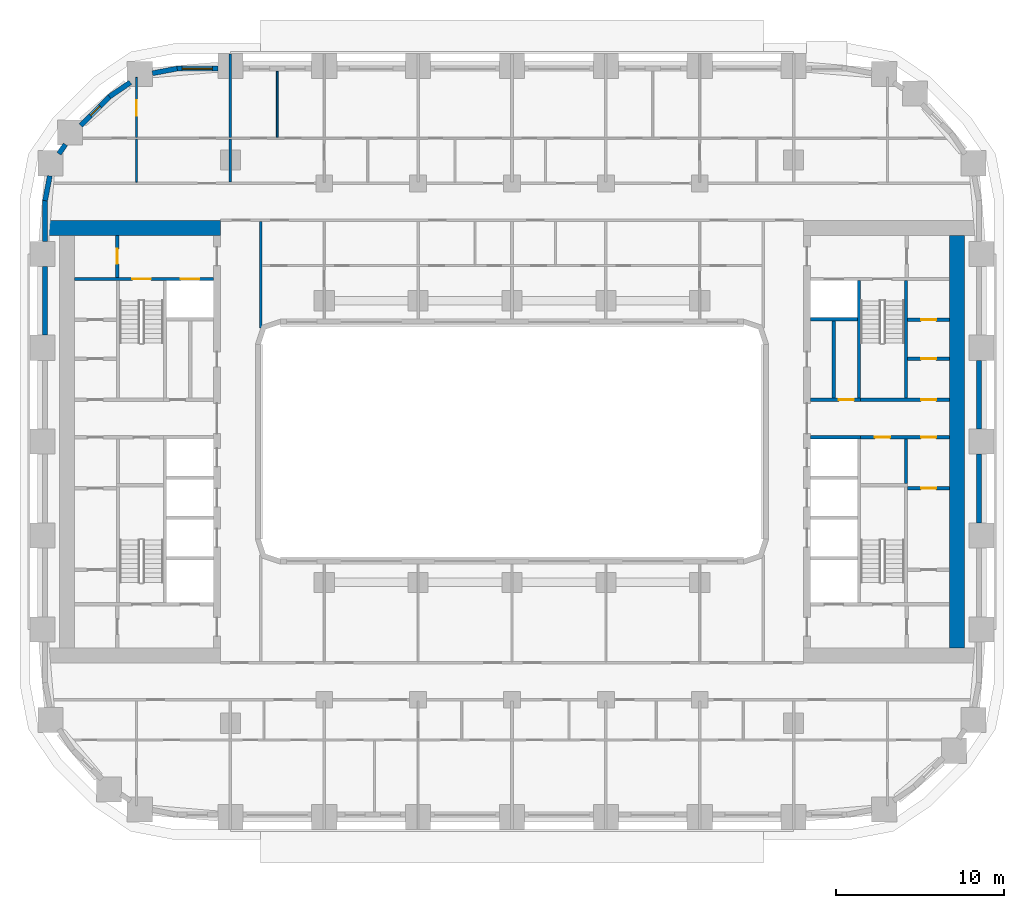
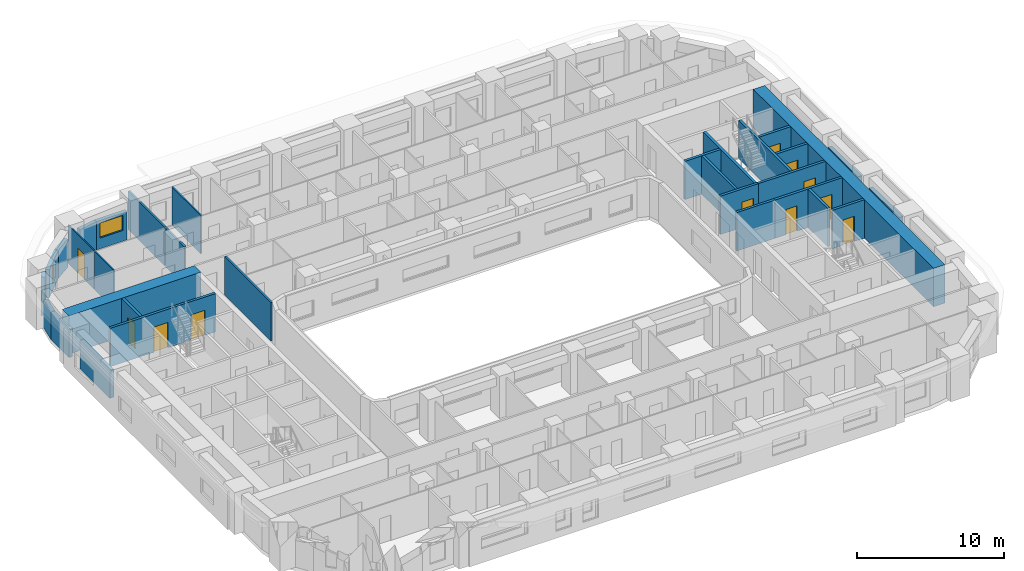
# One storey, part 7 of 21: 32 walls, 11 doors, 2 windows, 13 openings.
"""IFC4 building model written with IfcOpenShell, lengths in metres."""

from ifc_helpers import new_model, si_unit, direction, frame, frame_2d, origin, place, context, subcontext, project, spatial, rectangle, extrude, material, layer, layer_set, type_object, element, fill, save


model = new_model("IFC4")

# Units and contexts
model_context = context("Model", 3, precision=1e-05, world=origin(), true_north=direction((0.0, 1.0)))
body_context = subcontext(model_context, "Body", "Model", "MODEL_VIEW")
ifc_project = project(units=[si_unit("LENGTHUNIT", "METRE"), si_unit("AREAUNIT", "SQUARE_METRE"), si_unit("VOLUMEUNIT", "CUBIC_METRE"), si_unit("PLANEANGLEUNIT", "RADIAN"), si_unit("MASSUNIT", "GRAM", prefix="KILO")], contexts=[model_context])

# Site, building, storey
site_placement = place(None, origin())
site = spatial("IfcSite", under=ifc_project, at=site_placement, CompositionType="ELEMENT")
building_placement = place(site_placement, origin())
building = spatial("IfcBuilding", under=site, at=building_placement, Name="Kiln Ring Residences", CompositionType="ELEMENT")
storey_placement = place(building_placement, frame((0.0, 0.0, 48.0)))
storey = spatial("IfcBuildingStorey", under=building, at=storey_placement, Name="L11", CompositionType="ELEMENT", Elevation=48.0)

# Wall, opening, door
ifc_material_1 = material(Name="Gypsum board on steel studs", Category="steel")
ifc_layer_1 = layer(ifc_material_1, 0.199951171875)
ifc_layer_set_1 = layer_set([ifc_layer_1], Name="CORE-PARTITION-200")
wall_type_1 = type_object("IfcWallType", Name="CORE-PARTITION-200", PredefinedType="PARTITIONING", material=ifc_layer_set_1)
wall_1_placement = place(storey_placement, frame((-23.550048828125, 9.800048828125, 0.0), z_axis=(0.0, 0.0, 1.0), x_axis=(0.0, 1.0, 0.0)))
wall_1 = element("IfcWall", 1, at=wall_1_placement, inside=storey, type_object=wall_type_1, Name="Core partition west L11 4", PredefinedType="PARTITIONING", context=body_context, shape_type="SweptSolid", body=[
    extrude(rectangle(XDim=2.5, YDim=0.199951171875, at=frame_2d((1.25, 0.0))), origin(), (0.0, 0.0, 1.0), 3.199951171875),
])
opening_1_placement = place(wall_1_placement, frame((0.800048828125, 0.0, 0.0)))
opening_1 = element("IfcOpeningElement", 2, at=opening_1_placement, cuts=wall_1, Name="Opening L11-CW10", PredefinedType="OPENING", context=body_context, shape_type="SweptSolid", body=[
    extrude(rectangle(XDim=0.89990234375, YDim=2.10009765625, at=frame_2d((0.449951171875, 1.050048828125))), frame((0.0, 0.10986328125, 0.0), z_axis=(0.0, -1.0, 0.0), x_axis=(1.0, 0.0, 0.0)), (0.0, 0.0, 1.0), 0.219970703125),
])
ifc_material_2 = material(Name="Steel door leaf", Category="steel")
door_type_1 = type_object("IfcDoorType", Name="CORE-DOOR-ROOM", OperationType="SINGLE_SWING_LEFT", PredefinedType="DOOR", material=ifc_material_2)
door_1_placement = place(opening_1_placement, origin())
door_1 = element("IfcDoor", 3, at=door_1_placement, inside=storey, type_object=door_type_1, Name="Fire riser room L11-CW10", OperationType="SINGLE_SWING_RIGHT", OverallHeight=2.10009765625, OverallWidth=0.89990234375, PredefinedType="DOOR", context=body_context, shape_type="SweptSolid", body=[
    extrude(rectangle(XDim=0.89990234375, YDim=2.10009765625, at=frame_2d((0.449951171875, 1.050048828125))), frame((0.0, 0.02490234375, 0.0), z_axis=(0.0, -1.0, 0.0), x_axis=(1.0, 0.0, 0.0)), (0.0, 0.0, 1.0), 0.050048828125),
])
fill(opening_1, door_1)

# Wall
wall_2_placement = place(storey_placement, frame((23.5, -2.5, 0.0), z_axis=(0.0, 0.0, 1.0), x_axis=(0.0, 1.0, 0.0)))
element("IfcWall", 4, at=wall_2_placement, inside=storey, type_object=wall_type_1, Name="Core partition east L11 1", PredefinedType="PARTITIONING", context=body_context, shape_type="SweptSolid", body=[
    extrude(rectangle(XDim=2.64990234375, YDim=0.199951171875, at=frame_2d((1.324951171875, 0.0))), origin(), (0.0, 0.0, 1.0), 3.199951171875),
])

# Wall, openings, doors
wall_3_placement = place(storey_placement, frame((20.800048828125, 0.25, 0.0), z_axis=(0.0, 0.0, 1.0), x_axis=(1.0, 0.0, 0.0)))
wall_3 = element("IfcWall", 5, at=wall_3_placement, inside=storey, type_object=wall_type_1, Name="Core partition east L11 2", PredefinedType="PARTITIONING", context=body_context, shape_type="SweptSolid", body=[
    extrude(rectangle(XDim=5.300048828125, YDim=0.199951171875, at=frame_2d((2.64990234375, 0.0))), origin(), (0.0, 0.0, 1.0), 3.199951171875),
])
opening_2_placement = place(wall_3_placement, frame((0.85009765625, 0.0, 0.0)))
opening_2 = element("IfcOpeningElement", 6, at=opening_2_placement, cuts=wall_3, Name="Opening L11-CE15", PredefinedType="OPENING", context=body_context, shape_type="SweptSolid", body=[
    extrude(rectangle(XDim=0.89990234375, YDim=2.10009765625, at=frame_2d((0.449951171875, 1.050048828125))), frame((0.0, 0.10986328125, 0.0), z_axis=(0.0, -1.0, 0.0), x_axis=(1.0, 0.0, 0.0)), (0.0, 0.0, 1.0), 0.219970703125),
])
opening_3_placement = place(wall_3_placement, frame((3.60009765625, 0.0, 0.0)))
opening_3 = element("IfcOpeningElement", 7, at=opening_3_placement, cuts=wall_3, Name="Opening L11-CE18", PredefinedType="OPENING", context=body_context, shape_type="SweptSolid", body=[
    extrude(rectangle(XDim=0.89990234375, YDim=2.10009765625, at=frame_2d((0.449951171875, 1.050048828125))), frame((0.0, 0.10986328125, 0.0), z_axis=(0.0, -1.0, 0.0), x_axis=(1.0, 0.0, 0.0)), (0.0, 0.0, 1.0), 0.219970703125),
])
door_2_placement = place(opening_2_placement, origin())
door_2 = element("IfcDoor", 8, at=door_2_placement, inside=storey, type_object=door_type_1, Name="Cleaner's store L11-CE15", OperationType="SINGLE_SWING_RIGHT", OverallHeight=2.10009765625, OverallWidth=0.89990234375, PredefinedType="DOOR", context=body_context, shape_type="SweptSolid", body=[
    extrude(rectangle(XDim=0.89990234375, YDim=2.10009765625, at=frame_2d((0.449951171875, 1.050048828125))), frame((0.0, 0.02490234375, 0.0), z_axis=(0.0, -1.0, 0.0), x_axis=(1.0, 0.0, 0.0)), (0.0, 0.0, 1.0), 0.050048828125),
])
fill(opening_2, door_2)
door_3_placement = place(opening_3_placement, origin())
door_3 = element("IfcDoor", 9, at=door_3_placement, inside=storey, type_object=door_type_1, Name="Battery room L11-CE18", OperationType="SINGLE_SWING_LEFT", OverallHeight=2.10009765625, OverallWidth=0.89990234375, PredefinedType="DOOR", context=body_context, shape_type="SweptSolid", body=[
    extrude(rectangle(XDim=0.89990234375, YDim=2.10009765625, at=frame_2d((0.449951171875, 1.050048828125))), frame((0.0, 0.02490234375, 0.0), z_axis=(0.0, -1.0, 0.0), x_axis=(1.0, 0.0, 0.0)), (0.0, 0.0, 1.0), 0.050048828125),
])
fill(opening_3, door_3)

# Wall
wall_4_placement = place(storey_placement, frame((19.199951171875, 2.60009765625, 0.0), z_axis=(0.0, 0.0, 1.0), x_axis=(0.0, 1.0, 0.0)))
element("IfcWall", 10, at=wall_4_placement, inside=storey, type_object=wall_type_1, Name="Core partition east L11 3", PredefinedType="PARTITIONING", context=body_context, shape_type="SweptSolid", body=[
    extrude(rectangle(XDim=4.599853515625, YDim=0.199951171875, at=frame_2d((2.2998046875, 0.0))), origin(), (0.0, 0.0, 1.0), 3.199951171875),
])

# Wall, opening, door
wall_5_placement = place(storey_placement, frame((23.60009765625, -2.77490234375, 0.0), z_axis=(0.0, 0.0, 1.0), x_axis=(1.0, 0.0, 0.0)))
wall_5 = element("IfcWall", 11, at=wall_5_placement, inside=storey, type_object=wall_type_1, Name="Core partition east L11 7", PredefinedType="PARTITIONING", context=body_context, shape_type="SweptSolid", body=[
    extrude(rectangle(XDim=2.5, YDim=0.199951171875, at=frame_2d((1.25, 0.0))), origin(), (0.0, 0.0, 1.0), 3.199951171875),
])
opening_4_placement = place(wall_5_placement, frame((0.800048828125, 0.0, 0.0)))
opening_4 = element("IfcOpeningElement", 12, at=opening_4_placement, cuts=wall_5, Name="Opening L11-CE17", PredefinedType="OPENING", context=body_context, shape_type="SweptSolid", body=[
    extrude(rectangle(XDim=0.89990234375, YDim=2.10009765625, at=frame_2d((0.449951171875, 1.050048828125))), frame((0.0, 0.10986328125, 0.0), z_axis=(0.0, -1.0, 0.0), x_axis=(1.0, 0.0, 0.0)), (0.0, 0.0, 1.0), 0.219970703125),
])
door_4_placement = place(opening_4_placement, origin())
door_4 = element("IfcDoor", 13, at=door_4_placement, inside=storey, type_object=door_type_1, Name="Battery room L11-CE17", OperationType="SINGLE_SWING_LEFT", OverallHeight=2.10009765625, OverallWidth=0.89990234375, PredefinedType="DOOR", context=body_context, shape_type="SweptSolid", body=[
    extrude(rectangle(XDim=0.89990234375, YDim=2.10009765625, at=frame_2d((0.449951171875, 1.050048828125))), frame((0.0, 0.02490234375, 0.0), z_axis=(0.0, -1.0, 0.0), x_axis=(1.0, 0.0, 0.0)), (0.0, 0.0, 1.0), 0.050048828125),
])
fill(opening_4, door_4)

wall_6_placement = place(storey_placement, frame((23.60009765625, 4.933349609375, 0.0), z_axis=(0.0, 0.0, 1.0), x_axis=(1.0, 0.0, 0.0)))
wall_6 = element("IfcWall", 14, at=wall_6_placement, inside=storey, type_object=wall_type_1, Name="Core partition east L11 8", PredefinedType="PARTITIONING", context=body_context, shape_type="SweptSolid", body=[
    extrude(rectangle(XDim=2.5, YDim=0.199951171875, at=frame_2d((1.25, 0.0))), origin(), (0.0, 0.0, 1.0), 3.199951171875),
])
opening_5_placement = place(wall_6_placement, frame((0.800048828125, 0.0, 0.0)))
opening_5 = element("IfcOpeningElement", 15, at=opening_5_placement, cuts=wall_6, Name="Opening L11-CE19", PredefinedType="OPENING", context=body_context, shape_type="SweptSolid", body=[
    extrude(rectangle(XDim=0.89990234375, YDim=2.10009765625, at=frame_2d((0.449951171875, 1.050048828125))), frame((0.0, 0.10986328125, 0.0), z_axis=(0.0, -1.0, 0.0), x_axis=(1.0, 0.0, 0.0)), (0.0, 0.0, 1.0), 0.219970703125),
])
door_5_placement = place(opening_5_placement, origin())
door_5 = element("IfcDoor", 16, at=door_5_placement, inside=storey, type_object=door_type_1, Name="Electrical plant room L11-CE19", OperationType="SINGLE_SWING_LEFT", OverallHeight=2.10009765625, OverallWidth=0.89990234375, PredefinedType="DOOR", context=body_context, shape_type="SweptSolid", body=[
    extrude(rectangle(XDim=0.89990234375, YDim=2.10009765625, at=frame_2d((0.449951171875, 1.050048828125))), frame((0.0, 0.02490234375, 0.0), z_axis=(0.0, -1.0, 0.0), x_axis=(1.0, 0.0, 0.0)), (0.0, 0.0, 1.0), 0.050048828125),
])
fill(opening_5, door_5)

wall_7_placement = place(storey_placement, frame((23.60009765625, 7.2666015625, 0.0), z_axis=(0.0, 0.0, 1.0), x_axis=(1.0, 0.0, 0.0)))
wall_7 = element("IfcWall", 17, at=wall_7_placement, inside=storey, type_object=wall_type_1, Name="Core partition east L11 9", PredefinedType="PARTITIONING", context=body_context, shape_type="SweptSolid", body=[
    extrude(rectangle(XDim=2.5, YDim=0.199951171875, at=frame_2d((1.25, 0.0))), origin(), (0.0, 0.0, 1.0), 3.199951171875),
])
opening_6_placement = place(wall_7_placement, frame((0.800048828125, 0.0, 0.0)))
opening_6 = element("IfcOpeningElement", 18, at=opening_6_placement, cuts=wall_7, Name="Opening L11-CE20", PredefinedType="OPENING", context=body_context, shape_type="SweptSolid", body=[
    extrude(rectangle(XDim=0.89990234375, YDim=2.10009765625, at=frame_2d((0.449951171875, 1.050048828125))), frame((0.0, 0.10986328125, 0.0), z_axis=(0.0, -1.0, 0.0), x_axis=(1.0, 0.0, 0.0)), (0.0, 0.0, 1.0), 0.219970703125),
])
door_6_placement = place(opening_6_placement, origin())
door_6 = element("IfcDoor", 19, at=door_6_placement, inside=storey, type_object=door_type_1, Name="Comms room L11-CE20", OperationType="SINGLE_SWING_RIGHT", OverallHeight=2.10009765625, OverallWidth=0.89990234375, PredefinedType="DOOR", context=body_context, shape_type="SweptSolid", body=[
    extrude(rectangle(XDim=0.89990234375, YDim=2.10009765625, at=frame_2d((0.449951171875, 1.050048828125))), frame((0.0, 0.02490234375, 0.0), z_axis=(0.0, -1.0, 0.0), x_axis=(1.0, 0.0, 0.0)), (0.0, 0.0, 1.0), 0.050048828125),
])
fill(opening_6, door_6)

# Wall
ifc_material_3 = material(Name="Gypsum shaft wall system")
ifc_layer_2 = layer(ifc_material_3, 0.199951171875)
ifc_layer_set_2 = layer_set([ifc_layer_2], Name="CORE-SHAFT-WALL-200")
wall_type_2 = type_object("IfcWallType", Name="CORE-SHAFT-WALL-200", PredefinedType="PARTITIONING", material=ifc_layer_set_2)
wall_8_placement = place(storey_placement, frame((17.800048828125, 0.25, 0.0), z_axis=(0.0, 0.0, 1.0), x_axis=(1.0, 0.0, 0.0)))
element("IfcWall", 20, at=wall_8_placement, inside=storey, type_object=wall_type_2, Name="Core partition east L11 13", PredefinedType="PARTITIONING", context=body_context, shape_type="SweptSolid", body=[
    extrude(rectangle(XDim=3.0, YDim=0.199951171875, at=frame_2d((1.5, 0.0))), origin(), (0.0, 0.0, 1.0), 3.199951171875),
])

# Wall, opening, door
wall_9_placement = place(storey_placement, frame((17.800048828125, 2.5, 0.0), z_axis=(0.0, 0.0, 1.0), x_axis=(1.0, 0.0, 0.0)))
wall_9 = element("IfcWall", 21, at=wall_9_placement, inside=storey, type_object=wall_type_2, Name="Core partition east L11 14", PredefinedType="PARTITIONING", context=body_context, shape_type="SweptSolid", body=[
    extrude(rectangle(XDim=3.0, YDim=0.199951171875, at=frame_2d((1.5, 0.0))), origin(), (0.0, 0.0, 1.0), 3.199951171875),
])
opening_7_placement = place(wall_9_placement, frame((1.699951171875, 0.0, 0.0)))
opening_7 = element("IfcOpeningElement", 22, at=opening_7_placement, cuts=wall_9, Name="Opening L11-CE06", PredefinedType="OPENING", context=body_context, shape_type="SweptSolid", body=[
    extrude(rectangle(XDim=0.89990234375, YDim=2.10009765625, at=frame_2d((0.449951171875, 1.050048828125))), frame((0.0, 0.10986328125, 0.0), z_axis=(0.0, -1.0, 0.0), x_axis=(1.0, 0.0, 0.0)), (0.0, 0.0, 1.0), 0.219970703125),
])
door_7_placement = place(opening_7_placement, origin())
door_7 = element("IfcDoor", 23, at=door_7_placement, inside=storey, type_object=door_type_1, Name="Cleaner's store L11-CE06", OperationType="SINGLE_SWING_RIGHT", OverallHeight=2.10009765625, OverallWidth=0.89990234375, PredefinedType="DOOR", context=body_context, shape_type="SweptSolid", body=[
    extrude(rectangle(XDim=0.89990234375, YDim=2.10009765625, at=frame_2d((0.449951171875, 1.050048828125))), frame((0.0, 0.02490234375, 0.0), z_axis=(0.0, -1.0, 0.0), x_axis=(1.0, 0.0, 0.0)), (0.0, 0.0, 1.0), 0.050048828125),
])
fill(opening_7, door_7)

# Wall
wall_10_placement = place(storey_placement, frame((17.800048828125, 7.300048828125, 0.0), z_axis=(0.0, 0.0, 1.0), x_axis=(1.0, 0.0, 0.0)))
element("IfcWall", 24, at=wall_10_placement, inside=storey, type_object=wall_type_2, Name="Core partition east L11 15", PredefinedType="PARTITIONING", context=body_context, shape_type="SweptSolid", body=[
    extrude(rectangle(XDim=2.800048828125, YDim=0.199951171875, at=frame_2d((1.39990234375, 0.0))), origin(), (0.0, 0.0, 1.0), 3.199951171875),
])

# Wall, openings, doors
ifc_material_4 = material(Name="Concrete C40/50", Category="concrete")
ifc_layer_3 = layer(ifc_material_4, 0.199951171875)
ifc_layer_set_3 = layer_set([ifc_layer_3], Name="CORE-WALL-RC200")
wall_type_3 = type_object("IfcWallType", Name="CORE-WALL-RC200", PredefinedType="SHEAR", material=ifc_layer_set_3)
wall_11_placement = place(storey_placement, frame((-17.800048828125, 9.699951171875, 0.0), z_axis=(0.0, 0.0, 1.0), x_axis=(-1.0, 0.0, 0.0)))
wall_11 = element("IfcWall", 25, at=wall_11_placement, inside=storey, type_object=wall_type_3, Name="Core wall west L11 9", PredefinedType="SHEAR", context=body_context, shape_type="SweptSolid", body=[
    extrude(rectangle(XDim=8.300048828125, YDim=0.199951171875, at=frame_2d((4.14990234375, 0.0))), origin(), (0.0, 0.0, 1.0), 3.199951171875),
])
opening_8_placement = place(wall_11_placement, frame((0.85009765625, 0.0, 0.0)))
opening_8 = element("IfcOpeningElement", 26, at=opening_8_placement, cuts=wall_11, Name="Opening L11-CW07", PredefinedType="OPENING", context=body_context, shape_type="SweptSolid", body=[
    extrude(rectangle(XDim=1.10009765625, YDim=2.10009765625, at=frame_2d((0.550048828125, 1.050048828125))), frame((0.0, 0.10986328125, 0.0), z_axis=(0.0, -1.0, 0.0), x_axis=(1.0, 0.0, 0.0)), (0.0, 0.0, 1.0), 0.219970703125),
])
opening_9_placement = place(wall_11_placement, frame((3.75, 0.0, 0.0)))
opening_9 = element("IfcOpeningElement", 27, at=opening_9_placement, cuts=wall_11, Name="Opening L11-CW12", PredefinedType="OPENING", context=body_context, shape_type="SweptSolid", body=[
    extrude(rectangle(XDim=1.10009765625, YDim=2.10009765625, at=frame_2d((0.550048828125, 1.050048828125))), frame((0.0, 0.10986328125, 0.0), z_axis=(0.0, -1.0, 0.0), x_axis=(1.0, 0.0, 0.0)), (0.0, 0.0, 1.0), 0.219970703125),
])
ifc_material_5 = material(Name="Steel door leaf", Category="steel")
door_type_2 = type_object("IfcDoorType", Name="CORE-DOOR-LD", OperationType="DOUBLE_DOOR_SLIDING", PredefinedType="DOOR", material=ifc_material_5)
door_8_placement = place(opening_8_placement, origin())
door_8 = element("IfcDoor", 28, at=door_8_placement, inside=storey, type_object=door_type_2, Name="LD W-FF L11-CW07", OperationType="DOUBLE_DOOR_SLIDING", OverallHeight=2.10009765625, OverallWidth=1.10009765625, PredefinedType="DOOR", context=body_context, shape_type="SweptSolid", body=[
    extrude(rectangle(XDim=1.10009765625, YDim=2.10009765625, at=frame_2d((0.550048828125, 1.050048828125))), frame((0.0, 0.02490234375, 0.0), z_axis=(0.0, -1.0, 0.0), x_axis=(1.0, 0.0, 0.0)), (0.0, 0.0, 1.0), 0.050048828125),
])
fill(opening_8, door_8)
ifc_material_6 = material(Name="Steel door leaf", Category="steel")
door_type_3 = type_object("IfcDoorType", Name="CORE-DOOR-STAIR", OperationType="SINGLE_SWING_LEFT", PredefinedType="DOOR", material=ifc_material_6)
door_9_placement = place(opening_9_placement, origin())
door_9 = element("IfcDoor", 29, at=door_9_placement, inside=storey, type_object=door_type_3, Name="Stair W-STN L11-CW12", OperationType="SINGLE_SWING_RIGHT", OverallHeight=2.10009765625, OverallWidth=1.10009765625, PredefinedType="DOOR", context=body_context, shape_type="SweptSolid", body=[
    extrude(rectangle(XDim=1.10009765625, YDim=2.10009765625, at=frame_2d((0.550048828125, 1.050048828125))), frame((0.0, 0.02490234375, 0.0), z_axis=(0.0, -1.0, 0.0), x_axis=(1.0, 0.0, 0.0)), (0.0, 0.0, 1.0), 0.050048828125),
])
fill(opening_9, door_9)

# Wall
wall_12_placement = place(storey_placement, frame((20.699951171875, 2.60009765625, 0.0), z_axis=(0.0, 0.0, 1.0), x_axis=(0.0, 1.0, 0.0)))
element("IfcWall", 30, at=wall_12_placement, inside=storey, type_object=wall_type_3, Name="Core wall east L11 1", PredefinedType="SHEAR", context=body_context, shape_type="SweptSolid", body=[
    extrude(rectangle(XDim=7.0, YDim=0.199951171875, at=frame_2d((3.5, 0.0))), origin(), (0.0, 0.0, 1.0), 3.199951171875),
])

# Wall, opening, door
wall_13_placement = place(storey_placement, frame((20.800048828125, 2.5, 0.0), z_axis=(0.0, 0.0, 1.0), x_axis=(1.0, 0.0, 0.0)))
wall_13 = element("IfcWall", 31, at=wall_13_placement, inside=storey, type_object=wall_type_3, Name="Core wall east L11 3", PredefinedType="SHEAR", context=body_context, shape_type="SweptSolid", body=[
    extrude(rectangle(XDim=5.300048828125, YDim=0.199951171875, at=frame_2d((2.64990234375, 0.0))), origin(), (0.0, 0.0, 1.0), 3.199951171875),
])
opening_10_placement = place(wall_13_placement, frame((3.60009765625, 0.0, 0.0)))
opening_10 = element("IfcOpeningElement", 32, at=opening_10_placement, cuts=wall_13, Name="Opening L11-CE21", PredefinedType="OPENING", context=body_context, shape_type="SweptSolid", body=[
    extrude(rectangle(XDim=0.89990234375, YDim=2.10009765625, at=frame_2d((0.449951171875, 1.050048828125))), frame((0.0, 0.10986328125, 0.0), z_axis=(0.0, -1.0, 0.0), x_axis=(1.0, 0.0, 0.0)), (0.0, 0.0, 1.0), 0.219970703125),
])
door_10_placement = place(opening_10_placement, origin())
door_10 = element("IfcDoor", 33, at=door_10_placement, inside=storey, type_object=door_type_1, Name="UPS room L11-CE21", OperationType="SINGLE_SWING_LEFT", OverallHeight=2.10009765625, OverallWidth=0.89990234375, PredefinedType="DOOR", context=body_context, shape_type="SweptSolid", body=[
    extrude(rectangle(XDim=0.89990234375, YDim=2.10009765625, at=frame_2d((0.449951171875, 1.050048828125))), frame((0.0, 0.02490234375, 0.0), z_axis=(0.0, -1.0, 0.0), x_axis=(1.0, 0.0, 0.0)), (0.0, 0.0, 1.0), 0.050048828125),
])
fill(opening_10, door_10)

# Walls
wall_14_placement = place(storey_placement, frame((23.5, 2.60009765625, 0.0), z_axis=(0.0, 0.0, 1.0), x_axis=(0.0, 1.0, 0.0)))
element("IfcWall", 34, at=wall_14_placement, inside=storey, type_object=wall_type_3, Name="Core wall east L11 10", PredefinedType="SHEAR", context=body_context, shape_type="SweptSolid", body=[
    extrude(rectangle(XDim=7.0, YDim=0.199951171875, at=frame_2d((3.5, 0.0))), origin(), (0.0, 0.0, 1.0), 3.199951171875),
])
ifc_material_7 = material(Name="Concrete C60/75", Category="concrete")
ifc_layer_4 = layer(ifc_material_7, 0.89990234375)
ifc_layer_set_4 = layer_set([ifc_layer_4], Name="CORE-WALL-RC900")
wall_type_4 = type_object("IfcWallType", Name="CORE-WALL-RC900", PredefinedType="SHEAR", material=ifc_layer_set_4)
wall_15_placement = place(storey_placement, frame((-17.39990234375, 12.75, 0.0), z_axis=(0.0, 0.0, 1.0), x_axis=(-1.0, 0.0, 0.0)))
element("IfcWall", 35, at=wall_15_placement, inside=storey, type_object=wall_type_4, Name="Core wall west L11 4", PredefinedType="SHEAR", context=body_context, shape_type="SweptSolid", body=[
    extrude(rectangle(XDim=10.400146484375, YDim=0.89990234375, at=frame_2d((5.2001953125, 0.0))), origin(), (0.0, 0.0, 1.0), 3.199951171875),
])
wall_16_placement = place(storey_placement, frame((26.550048828125, -12.300048828125, 0.0), z_axis=(0.0, 0.0, 1.0), x_axis=(0.0, 1.0, 0.0)))
element("IfcWall", 36, at=wall_16_placement, inside=storey, type_object=wall_type_4, Name="Core wall east L11 7", PredefinedType="SHEAR", context=body_context, shape_type="SweptSolid", body=[
    extrude(rectangle(XDim=24.60009765625, YDim=0.89990234375, at=frame_2d((12.300048828125, 0.0))), origin(), (0.0, 0.0, 1.0), 3.199951171875),
])
ifc_material_8 = material(Name="Brick masonry, dark clay brick", Category="masonry")
ifc_layer_5 = layer(ifc_material_8, 0.300048828125)
ifc_layer_set_5 = layer_set([ifc_layer_5], Name="EW-300 BRICK WALL")
wall_type_5 = type_object("IfcWallType", Name="EW-300 BRICK WALL", PredefinedType="SOLIDWALL", material=ifc_layer_set_5)
for number, where, z_axis, x_axis, name in (
    (37, (27.85009765625, -4.85009765625, 0.0), (0.0, 0.0, 1.0), (0.0, 1.0, 0.0), "Facade wall L11 19"),
    (38, (27.85009765625, 0.75, 0.0), (0.0, 0.0, 1.0), (0.0, 1.0, 0.0), "Facade wall L11 20"),
):
    element("IfcWall", number, at=place(storey_placement, frame(where, z_axis=z_axis, x_axis=x_axis)), inside=storey, type_object=wall_type_5, Name=name, PredefinedType="SOLIDWALL", context=body_context, shape_type="SweptSolid", body=[
        extrude(rectangle(XDim=4.10009765625, YDim=0.300048828125, at=frame_2d((2.050048828125, 0.0))), origin(), (0.0, 0.0, 1.0), 2.35009765625),
    ])

# Wall, opening, window
wall_17_placement = place(storey_placement, frame((-17.550048828125, 22.25, 0.0), z_axis=(0.0, 0.0, 1.0), x_axis=(-1.0, 0.0, 0.0)))
wall_17 = element("IfcWall", 39, at=wall_17_placement, inside=storey, type_object=wall_type_5, Name="Facade wall L11 35", PredefinedType="SOLIDWALL", context=body_context, shape_type="SweptSolid", body=[
    extrude(rectangle(XDim=2.449951171875, YDim=0.300048828125, at=frame_2d((1.22509765625, 0.0))), origin(), (0.0, 0.0, 1.0), 2.35009765625),
])
opening_11_placement = place(wall_17_placement, frame((0.324951171875, 0.0, 0.89990234375)))
opening_11 = element("IfcOpeningElement", 40, at=opening_11_placement, cuts=wall_17, Name="Opening W2", PredefinedType="OPENING", context=body_context, shape_type="SweptSolid", body=[
    extrude(rectangle(XDim=1.800048828125, YDim=1.25, at=frame_2d((0.89990234375, 0.625))), frame((0.0, 0.159912109375, 0.0), z_axis=(0.0, -1.0, 0.0), x_axis=(1.0, 0.0, 0.0)), (0.0, 0.0, 1.0), 0.320068359375),
])
ifc_material_9 = material(Name="Aluminium frame with double glazing", Category="aluminium")
window_type_1 = type_object("IfcWindowType", Name="WINDOW 1800 x 1250", PartitioningType="SINGLE_PANEL", PredefinedType="WINDOW", material=ifc_material_9)
window_1_placement = place(opening_11_placement, origin())
window_1 = element("IfcWindow", 41, at=window_1_placement, inside=storey, type_object=window_type_1, Name="Window L11 22", OverallHeight=1.25, OverallWidth=1.800048828125, PartitioningType="SINGLE_PANEL", PredefinedType="WINDOW", context=body_context, shape_type="SweptSolid", body=[
    extrude(rectangle(XDim=1.800048828125, YDim=1.25, at=frame_2d((0.89990234375, 0.625))), frame((0.0, 0.030029296875, 0.0), z_axis=(0.0, -1.0, 0.0), x_axis=(1.0, 0.0, 0.0)), (0.0, 0.0, 1.0), 0.06005859375),
])
fill(opening_11, window_1)

# Walls
for number, where, z_axis, x_axis, name in (
    (42, (-19.971923828125, 22.252685546875, 0.0), (0.0, 0.0, 1.0), (-0.982287454367, -0.187380247071, 0.0), "Facade wall L11 36"),
    (43, (-22.76708984375, 21.425537109375, 0.0), (0.0, 0.0, 1.0), (-0.827028997312, -0.562159263559, 0.0), "Facade wall L11 37"),
):
    element("IfcWall", number, at=place(storey_placement, frame(where, z_axis=z_axis, x_axis=x_axis)), inside=storey, type_object=wall_type_5, Name=name, PredefinedType="SOLIDWALL", context=body_context, shape_type="SweptSolid", body=[
        extrude(rectangle(XDim=1.506103515625, YDim=0.300048828125, at=frame_2d((0.7529296875, 0.0))), origin(), (0.0, 0.0, 1.0), 2.35009765625),
    ])

# Wall, opening, window
wall_18_placement = place(storey_placement, frame((-23.990966796875, 20.596923828125, 0.0), z_axis=(0.0, 0.0, 1.0), x_axis=(-0.707106781187, -0.707106781187, 0.0)))
wall_18 = element("IfcWall", 44, at=wall_18_placement, inside=storey, type_object=wall_type_5, Name="Facade wall L11 38", PredefinedType="SOLIDWALL", context=body_context, shape_type="SweptSolid", body=[
    extrude(rectangle(XDim=2.449951171875, YDim=0.300048828125, at=frame_2d((1.22509765625, 0.0))), origin(), (0.0, 0.0, 1.0), 2.35009765625),
])
opening_12_placement = place(wall_18_placement, frame((0.824951171875, 0.0, 0.60009765625)))
opening_12 = element("IfcOpeningElement", 45, at=opening_12_placement, cuts=wall_18, Name="Opening W5", PredefinedType="OPENING", context=body_context, shape_type="SweptSolid", body=[
    extrude(rectangle(XDim=0.800048828125, YDim=1.550048828125, at=frame_2d((0.39990234375, 0.77490234375))), frame((0.0, 0.159912109375, 0.0), z_axis=(0.0, -1.0, 0.0), x_axis=(1.0, 0.0, 0.0)), (0.0, 0.0, 1.0), 0.320068359375),
])
ifc_material_10 = material(Name="Aluminium frame with double glazing", Category="aluminium")
window_type_2 = type_object("IfcWindowType", Name="WINDOW 800 x 1550", PartitioningType="SINGLE_PANEL", PredefinedType="WINDOW", material=ifc_material_10)
window_2_placement = place(opening_12_placement, origin())
window_2 = element("IfcWindow", 46, at=window_2_placement, inside=storey, type_object=window_type_2, Name="Window L11 23", OverallHeight=1.550048828125, OverallWidth=0.800048828125, PartitioningType="SINGLE_PANEL", PredefinedType="WINDOW", context=body_context, shape_type="SweptSolid", body=[
    extrude(rectangle(XDim=0.800048828125, YDim=1.550048828125, at=frame_2d((0.39990234375, 0.77490234375))), frame((0.0, 0.030029296875, 0.0), z_axis=(0.0, -1.0, 0.0), x_axis=(1.0, 0.0, 0.0)), (0.0, 0.0, 1.0), 0.06005859375),
])
fill(opening_12, window_2)

# Walls
wall_19_placement = place(storey_placement, frame((-26.644775390625, 17.72705078125, 0.0), z_axis=(0.0, 0.0, 1.0), x_axis=(-0.562083182981, -0.827080706709, 0.0)))
element("IfcWall", 47, at=wall_19_placement, inside=storey, type_object=wall_type_5, Name="Facade wall L11 39", PredefinedType="SOLIDWALL", context=body_context, shape_type="SweptSolid", body=[
    extrude(rectangle(XDim=0.67724609375, YDim=0.300048828125, at=frame_2d((0.338623046875, 0.0))), origin(), (0.0, 0.0, 1.0), 3.199951171875),
])
wall_20_placement = place(storey_placement, frame((-27.570556640625, 15.851318359375, 0.0), z_axis=(0.0, 0.0, 1.0), x_axis=(-0.187223837635, -0.982317277982, 0.0)))
element("IfcWall", 48, at=wall_20_placement, inside=storey, type_object=wall_type_5, Name="Facade wall L11 40", PredefinedType="SOLIDWALL", context=body_context, shape_type="SweptSolid", body=[
    extrude(rectangle(XDim=1.506103515625, YDim=0.300048828125, at=frame_2d((0.7529296875, 0.0))), origin(), (0.0, 0.0, 1.0), 2.35009765625),
])
wall_21_placement = place(storey_placement, frame((-27.85009765625, 14.39990234375, 0.0), z_axis=(0.0, 0.0, 1.0), x_axis=(0.0, -1.0, 0.0)))
element("IfcWall", 49, at=wall_21_placement, inside=storey, type_object=wall_type_5, Name="Facade wall L11 41", PredefinedType="SOLIDWALL", context=body_context, shape_type="SweptSolid", body=[
    extrude(rectangle(XDim=2.449951171875, YDim=0.300048828125, at=frame_2d((1.22509765625, 0.0))), origin(), (0.0, 0.0, 1.0), 2.35009765625),
])
wall_22_placement = place(storey_placement, frame((-27.85009765625, 10.449951171875, 0.0), z_axis=(0.0, 0.0, 1.0), x_axis=(0.0, -1.0, 0.0)))
element("IfcWall", 50, at=wall_22_placement, inside=storey, type_object=wall_type_5, Name="Facade wall L11 42", PredefinedType="SOLIDWALL", context=body_context, shape_type="SweptSolid", body=[
    extrude(rectangle(XDim=4.099853515625, YDim=0.300048828125, at=frame_2d((2.0498046875, 0.0))), origin(), (0.0, 0.0, 1.0), 2.35009765625),
])
ifc_material_11 = material(Name="Gypsum board on steel studs", Category="steel")
ifc_layer_6 = layer(ifc_material_11, 0.10009765625)
ifc_layer_set_6 = layer_set([ifc_layer_6], Name="PARTITION-100")
wall_type_6 = type_object("IfcWallType", Name="PARTITION-100", PredefinedType="PARTITIONING", material=ifc_layer_set_6)
wall_23_placement = place(storey_placement, frame((-22.39990234375, 15.47509765625, 0.0), z_axis=(0.0, 0.0, 1.0), x_axis=(0.0, 1.0, 0.0)))
element("IfcWall", 51, at=wall_23_placement, inside=storey, type_object=wall_type_6, Name="Partition 009", PredefinedType="PARTITIONING", context=body_context, shape_type="SweptSolid", body=[
    extrude(rectangle(XDim=2.574951171875, YDim=0.10009765625, at=frame_2d((1.28759765625, 0.0))), origin(), (0.0, 0.0, 1.0), 3.199951171875),
])

# Wall, opening, door
wall_24_placement = place(storey_placement, frame((-22.39990234375, 18.14990234375, 0.0), z_axis=(0.0, 0.0, 1.0), x_axis=(0.0, 1.0, 0.0)))
wall_24 = element("IfcWall", 52, at=wall_24_placement, inside=storey, type_object=wall_type_6, Name="Partition 010", PredefinedType="PARTITIONING", context=body_context, shape_type="SweptSolid", body=[
    extrude(rectangle(XDim=3.570068359375, YDim=0.10009765625, at=frame_2d((1.78515625, 0.0))), origin(), (0.0, 0.0, 1.0), 3.199951171875),
])
opening_13_placement = place(wall_24_placement, frame((1.298095703125, 0.0, 0.0)))
opening_13 = element("IfcOpeningElement", 53, at=opening_13_placement, cuts=wall_24, Name="Opening L11-D022", PredefinedType="OPENING", context=body_context, shape_type="SweptSolid", body=[
    extrude(rectangle(XDim=0.89990234375, YDim=2.10009765625, at=frame_2d((0.449951171875, 1.050048828125))), frame((0.0, 0.06005859375, 0.0), z_axis=(0.0, -1.0, 0.0), x_axis=(1.0, 0.0, 0.0)), (0.0, 0.0, 1.0), 0.1201171875),
])
ifc_material_12 = material(Name="Timber door leaf", Category="wood")
door_type_4 = type_object("IfcDoorType", Name="FLAT-DOOR-900-PL", OperationType="SINGLE_SWING_LEFT", PredefinedType="DOOR", material=ifc_material_12)
door_11_placement = place(opening_13_placement, origin())
door_11 = element("IfcDoor", 54, at=door_11_placement, inside=storey, type_object=door_type_4, Name="Door L11-D022", OperationType="SINGLE_SWING_RIGHT", OverallHeight=2.10009765625, OverallWidth=0.89990234375, PredefinedType="DOOR", context=body_context, shape_type="SweptSolid", body=[
    extrude(rectangle(XDim=0.89990234375, YDim=2.10009765625, at=frame_2d((0.449951171875, 1.050048828125))), frame((0.0, 0.02490234375, 0.0), z_axis=(0.0, -1.0, 0.0), x_axis=(1.0, 0.0, 0.0)), (0.0, 0.0, 1.0), 0.050048828125),
])
fill(opening_13, door_11)

# Walls
wall_25_placement = place(storey_placement, frame((-14.0, 18.14990234375, 0.0), z_axis=(0.0, 0.0, 1.0), x_axis=(0.0, 1.0, 0.0)))
element("IfcWall", 55, at=wall_25_placement, inside=storey, type_object=wall_type_6, Name="Partition 018", PredefinedType="PARTITIONING", context=body_context, shape_type="SweptSolid", body=[
    extrude(rectangle(XDim=3.93017578125, YDim=0.10009765625, at=frame_2d((1.965087890625, 0.0))), origin(), (0.0, 0.0, 1.0), 3.199951171875),
])
ifc_material_13 = material(Name="Brick masonry partition", Category="masonry")
ifc_layer_7 = layer(ifc_material_13, 0.14990234375)
ifc_layer_set_7 = layer_set([ifc_layer_7], Name="PARTITION-150-ei60")
wall_type_7 = type_object("IfcWallType", Name="PARTITION-150-ei60", PredefinedType="PARTITIONING", material=ifc_layer_set_7)
wall_26_placement = place(storey_placement, frame((-16.800048828125, 15.47509765625, 0.0), z_axis=(0.0, 0.0, 1.0), x_axis=(0.0, 1.0, 0.0)))
element("IfcWall", 56, at=wall_26_placement, inside=storey, type_object=wall_type_7, Name="Partition 013", PredefinedType="PARTITIONING", context=body_context, shape_type="SweptSolid", body=[
    extrude(rectangle(XDim=2.574951171875, YDim=0.14990234375, at=frame_2d((1.28759765625, 0.0))), origin(), (0.0, 0.0, 1.0), 3.199951171875),
])
wall_27_placement = place(storey_placement, frame((-16.800048828125, 18.14990234375, 0.0), z_axis=(0.0, 0.0, 1.0), x_axis=(0.0, 1.0, 0.0)))
element("IfcWall", 57, at=wall_27_placement, inside=storey, type_object=wall_type_7, Name="Partition 014", PredefinedType="PARTITIONING", context=body_context, shape_type="SweptSolid", body=[
    extrude(rectangle(XDim=4.97998046875, YDim=0.14990234375, at=frame_2d((2.489990234375, 0.0))), origin(), (0.0, 0.0, 1.0), 3.199951171875),
])
wall_28_placement = place(storey_placement, frame((-15.0, 6.768798828125, 0.0), z_axis=(0.0, 0.0, 1.0), x_axis=(0.0, 1.0, 0.0)))
element("IfcWall", 58, at=wall_28_placement, inside=storey, type_object=wall_type_7, Name="Partition 016", PredefinedType="PARTITIONING", context=body_context, shape_type="SweptSolid", body=[
    extrude(rectangle(XDim=6.356201171875, YDim=0.14990234375, at=frame_2d((3.17822265625, 0.0))), origin(), (0.0, 0.0, 1.0), 3.199951171875),
])

save(model, "model.ifc")
